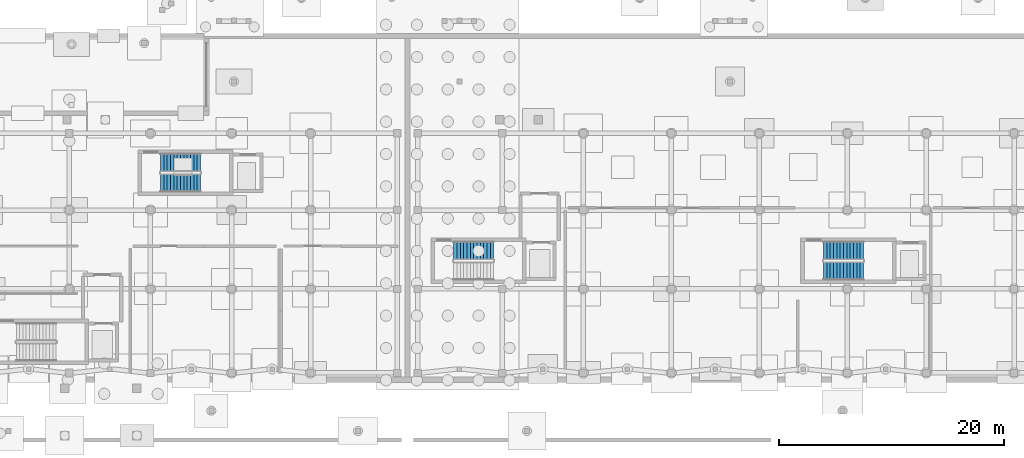
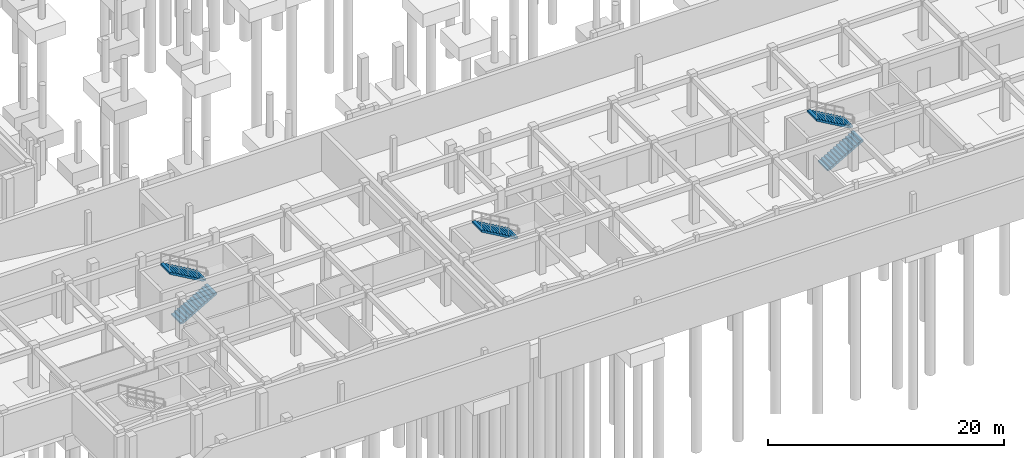
# One storey, part 19 of 22: 5 stair flights, 3 elements without a shape of their own.
"""IFC4 building model written with IfcOpenShell, lengths in metres."""

import ifcopenshell
import ifcopenshell.guid

model = None  # the IFC model being written
_history = None  # IfcOwnerHistory: only IFC2X3 demands one
_inside = {}  # id of a spatial element -> (the spatial element, [elements in it])
_under = {}  # id of a project, library or spatial element -> (it, [spatial elements below it])
_declared = {}  # id of a project -> (the project, [libraries it declares])
_typed = {}  # id of a type object -> (the type object, [elements of that type])
_made_of = {}  # id of a material, layer set ... -> (it, [elements and type objects made of it])


def new_model(schema):
    """Start an empty IFC model of exactly this schema.

    Asked for "IFC4X3", IfcOpenShell would pick the latest addendum, in which some entities
    have other attributes; the version numbers below select the first issue.
    IFC2X3 requires an IfcOwnerHistory on every rooted entity: one is made here for all.
    """
    global model, _history
    if schema == "IFC4X3":
        model = ifcopenshell.file(schema_version=(4, 3, 0, 0))
    else:
        model = ifcopenshell.file(schema=schema)
    _inside.clear()
    _under.clear()
    _declared.clear()
    _typed.clear()
    _made_of.clear()
    _history = None
    if model.schema == "IFC2X3":
        org = make("IfcOrganization", Name="unknown")
        user = make(
            "IfcPersonAndOrganization",
            ThePerson=make("IfcPerson", FamilyName="unknown"),
            TheOrganization=org,
        )
        app = make(
            "IfcApplication",
            ApplicationDeveloper=org,
            Version="unknown",
            ApplicationFullName="unknown",
            ApplicationIdentifier="unknown",
        )
        _history = make(
            "IfcOwnerHistory",
            OwningUser=user,
            OwningApplication=app,
            ChangeAction="ADDED",
            CreationDate=0,
        )
    return model


def make(cls, **values):
    """One entity of the class cls with the attributes given. An attribute that is None is left unset."""
    return model.create_entity(
        cls, **{name: value for name, value in values.items() if value is not None}
    )


def rooted(cls, **values):
    """An entity with a GlobalId (a new one), such as an element, a storey or a relation."""
    return make(cls, GlobalId=ifcopenshell.guid.new(), OwnerHistory=_history, **values)


def si_unit(unit_type, name, prefix=None):
    """IfcSIUnit, for example si_unit("LENGTHUNIT", "METRE", prefix="MILLI")."""
    return make("IfcSIUnit", UnitType=unit_type, Prefix=prefix, Name=name)


def assignment(units):
    """IfcUnitAssignment: the units of a project."""
    return None if units is None else make("IfcUnitAssignment", Units=units)


def point(xyz):
    """IfcCartesianPoint."""
    return None if xyz is None else make("IfcCartesianPoint", Coordinates=xyz)


def direction(xyz):
    """IfcDirection."""
    return None if xyz is None else make("IfcDirection", DirectionRatios=xyz)


def frame(location, z_axis=None, x_axis=None):
    """IfcAxis2Placement3D, a coordinate frame: its origin and axes. An axis left out is left unset."""
    return make(
        "IfcAxis2Placement3D",
        Location=point(location),
        Axis=direction(z_axis),
        RefDirection=direction(x_axis),
    )


def origin():
    """The frame at (0, 0, 0) with its axes left unset."""
    return frame((0.0, 0.0, 0.0))


def place(relative_to, where):
    """IfcLocalPlacement: puts the frame where relative to a parent placement (None: the world)."""
    return make(
        "IfcLocalPlacement", PlacementRelTo=relative_to, RelativePlacement=where
    )


def context(
    kind, dimensions, precision=None, world=None, true_north=None, identifier=None
):
    """IfcGeometricRepresentationContext, for example the 3D "Model" context."""
    return make(
        "IfcGeometricRepresentationContext",
        ContextIdentifier=identifier,
        ContextType=kind,
        CoordinateSpaceDimension=dimensions,
        Precision=precision,
        WorldCoordinateSystem=world,
        TrueNorth=true_north,
    )


def subcontext(parent, identifier, kind, view, scale=None):
    """IfcGeometricRepresentationSubContext, for example "Body" below "Model"."""
    return make(
        "IfcGeometricRepresentationSubContext",
        ContextIdentifier=identifier,
        ContextType=kind,
        ParentContext=parent,
        TargetScale=scale,
        TargetView=view,
    )


def project(units=None, contexts=None):
    """IfcProject with its units and contexts."""
    return rooted(
        "IfcProject",
        Name="project",
        RepresentationContexts=contexts,
        UnitsInContext=assignment(units),
    )


def spatial(cls, under=None, at=None, **own):
    """A site, building, storey or space (cls), placed at a placement, below another one or the project."""
    s = rooted(cls, ObjectPlacement=at, **own)
    if under is not None:
        _under.setdefault(under.id(), (under, []))[1].append(s)
    return s


def polyline(points):
    """IfcPolyline through the points."""
    return make("IfcPolyline", Points=[point(p) for p in points])


def outline(outer, holes=None, kind="AREA"):
    """IfcArbitraryClosedProfileDef: a profile drawn as a closed curve; with holes, ...WithVoids."""
    if holes is None:
        return make("IfcArbitraryClosedProfileDef", ProfileType=kind, OuterCurve=outer)
    return make(
        "IfcArbitraryProfileDefWithVoids",
        ProfileType=kind,
        OuterCurve=outer,
        InnerCurves=holes,
    )


def extrude(swept, where, along, depth):
    """IfcExtrudedAreaSolid: the profile swept, set in the frame where, extruded along a direction by depth."""
    return make(
        "IfcExtrudedAreaSolid",
        SweptArea=swept,
        Position=where,
        ExtrudedDirection=direction(along),
        Depth=depth,
    )


def shape(context_of_items, identifier, shape_type, items):
    """IfcShapeRepresentation: the items that make up one representation, for example the "Body"."""
    return make(
        "IfcShapeRepresentation",
        ContextOfItems=context_of_items,
        RepresentationIdentifier=identifier,
        RepresentationType=shape_type,
        Items=items,
    )


def material(Name=None, Category=None):
    """IfcMaterial."""
    return make("IfcMaterial", Name=Name, Category=Category)


def made_of(thing, what):
    """Note that an element or type object is made of a material, layer set ...; save() writes the relation."""
    if what is not None:
        _made_of.setdefault(what.id(), (what, []))[1].append(thing)
    return thing


def type_object(cls, material=None, **own):
    """A type object (cls), such as IfcWallType, which elements share."""
    return made_of(rooted(cls, **own), material)


def element(
    cls,
    number,
    at=None,
    inside=None,
    cuts=None,
    type_object=None,
    material=None,
    context=None,
    identifier="Body",
    shape_type=None,
    held_by="IfcProductDefinitionShape",
    body=None,
    shapes=None,
    **own,
):
    """One element of the class cls, such as IfcWall. Its Tag is "e" and its number.

    at: its placement. inside: the storey or other place that contains it. cuts: it is an
    opening in that element (IfcRelVoidsElement). A single representation is given by context,
    identifier, shape_type and body (its items); several are given by shapes. held_by: the class
    of the entity that holds the representations. save() writes the other relations.
    """
    e = rooted(cls, Tag="e%d" % number, ObjectPlacement=at, **own)
    if body is not None:
        shapes = [shape(context, identifier, shape_type, body)]
    if shapes is not None:
        e.Representation = make(held_by, Representations=shapes)
    if inside is not None:
        _inside.setdefault(inside.id(), (inside, []))[1].append(e)
    if cuts is not None:
        rooted(
            "IfcRelVoidsElement", RelatingBuildingElement=cuts, RelatedOpeningElement=e
        )
    if type_object is not None:
        _typed.setdefault(type_object.id(), (type_object, []))[1].append(e)
    return made_of(e, material)


def aggregate(whole, parts):
    """IfcRelAggregates: a whole, such as a stair, and the parts it consists of."""
    return rooted("IfcRelAggregates", RelatingObject=whole, RelatedObjects=parts)


def save(model, path):
    """Write the relations noted so far, then the file.

    IfcRelAggregates (storeys below a building ...), IfcRelContainedInSpatialStructure (elements
    in a storey), IfcRelDefinesByType, IfcRelAssociatesMaterial and IfcRelDeclares: one each for
    every whole, place, type object, material and project.
    """
    for whole, parts in _under.values():
        aggregate(whole, parts)
    for where, things in _inside.values():
        rooted(
            "IfcRelContainedInSpatialStructure",
            RelatedElements=things,
            RelatingStructure=where,
        )
    for kind, things in _typed.values():
        rooted("IfcRelDefinesByType", RelatedObjects=things, RelatingType=kind)
    for what, things in _made_of.values():
        rooted("IfcRelAssociatesMaterial", RelatedObjects=things, RelatingMaterial=what)
    for by, libraries in _declared.values():
        rooted("IfcRelDeclares", RelatingContext=by, RelatedDefinitions=libraries)
    model.write(path)


model = new_model("IFC4")

# Units and contexts
model_context = context("Model", 3, precision=1e-05, world=origin(), true_north=direction((0.0, 1.0)))
body_context = subcontext(model_context, "Body", "Model", "MODEL_VIEW")
ifc_project = project(units=[si_unit("LENGTHUNIT", "METRE"), si_unit("AREAUNIT", "SQUARE_METRE"), si_unit("VOLUMEUNIT", "CUBIC_METRE"), si_unit("PLANEANGLEUNIT", "RADIAN"), si_unit("MASSUNIT", "GRAM", prefix="KILO")], contexts=[model_context])

# Site, building, storey
site_placement = place(None, origin())
site = spatial("IfcSite", under=ifc_project, at=site_placement, CompositionType="ELEMENT")
building_placement = place(site_placement, origin())
building = spatial("IfcBuilding", under=site, at=building_placement, Name="Valcora Specialist Clinic", CompositionType="ELEMENT")
storey_placement = place(building_placement, frame((0.0, 0.0, -4.419921875)))
storey = spatial("IfcBuildingStorey", under=building, at=storey_placement, Name="B1", CompositionType="ELEMENT", Elevation=-4.419921875)

# Stair, stair flights
ifc_material = material(Name="Concrete C40/50", Category="concrete")
stair_type = type_object("IfcStairType", Name="TY-ST-DG442", PredefinedType="HALF_TURN_STAIR", material=ifc_material)
stair_1_placement = place(storey_placement, origin())
stair_1 = element("IfcStair", 1, at=stair_1_placement, inside=storey, type_object=stair_type, Name="B1 Core C-V5B stair ST-V5B", PredefinedType="HALF_TURN_STAIR")
stair_flight_type = type_object("IfcStairFlightType", Name="TY-SF-RC160", PredefinedType="STRAIGHT", material=ifc_material)
stair_flight_1_placement = place(storey_placement, frame((31.5, 17.60009765625, 0.0), z_axis=(0.0, 0.0, 1.0), x_axis=(1.0, 0.0, 0.0)))
stair_flight_1 = element("IfcStairFlight", 2, at=stair_flight_1_placement, type_object=stair_flight_type, Name="ST-V5B flight 1", NumberOfRisers=13, NumberOfTreads=12, PredefinedType="STRAIGHT", RiserHeight=0.17, TreadLength=0.295, context=body_context, shape_type="SweptSolid", body=[
    extrude(outline(polyline([(0.0, 0.0), (0.0, 0.169921875), (0.294921875, 0.169921875), (0.294921875, 0.340087890625), (0.590087890625, 0.340087890625), (0.590087890625, 0.510009765625), (0.885009765625, 0.510009765625), (0.885009765625, 0.679931640625), (1.179931640625, 0.679931640625), (1.179931640625, 0.85009765625), (1.47509765625, 0.85009765625), (1.47509765625, 1.02001953125), (1.77001953125, 1.02001953125), (1.77001953125, 1.18994140625), (2.06494140625, 1.18994140625), (2.06494140625, 1.360107421875), (2.360107421875, 1.360107421875), (2.360107421875, 1.530029296875), (2.655029296875, 1.530029296875), (2.655029296875, 1.699951171875), (2.949951171875, 1.699951171875), (2.949951171875, 1.8701171875), (3.2451171875, 1.8701171875), (3.2451171875, 2.0400390625), (3.5400390625, 2.0400390625), (3.5400390625, 2.2099609375), (3.5400390625, 1.85546875), (0.3203125, 0.0), (0.0, 0.0)])), frame((0.0, 0.800048828125, 0.0), z_axis=(0.0, -1.0, 0.0), x_axis=(1.0, 0.0, 0.0)), (0.0, 0.0, 1.0), 1.60009765625),
])
stair_flight_2_placement = place(storey_placement, frame((35.0400390625, 19.39990234375, 2.2099609375), z_axis=(0.0, 0.0, 1.0), x_axis=(-1.0, 0.0, 0.0)))
stair_flight_2 = element("IfcStairFlight", 3, at=stair_flight_2_placement, type_object=stair_flight_type, Name="ST-V5B flight 2", NumberOfRisers=13, NumberOfTreads=12, PredefinedType="STRAIGHT", RiserHeight=0.17, TreadLength=0.295, context=body_context, shape_type="SweptSolid", body=[
    extrude(outline(polyline([(0.0, 0.0), (0.0, 0.169921875), (0.294921875, 0.169921875), (0.294921875, 0.340087890625), (0.590087890625, 0.340087890625), (0.590087890625, 0.510009765625), (0.885009765625, 0.510009765625), (0.885009765625, 0.679931640625), (1.179931640625, 0.679931640625), (1.179931640625, 0.85009765625), (1.47509765625, 0.85009765625), (1.47509765625, 1.02001953125), (1.77001953125, 1.02001953125), (1.77001953125, 1.18994140625), (2.06494140625, 1.18994140625), (2.06494140625, 1.360107421875), (2.360107421875, 1.360107421875), (2.360107421875, 1.530029296875), (2.655029296875, 1.530029296875), (2.655029296875, 1.699951171875), (2.949951171875, 1.699951171875), (2.949951171875, 1.8701171875), (3.2451171875, 1.8701171875), (3.2451171875, 2.0400390625), (3.5400390625, 2.0400390625), (3.5400390625, 2.2099609375), (3.5400390625, 1.85546875), (0.3203125, 0.0), (0.0, 0.0)])), frame((0.0, 0.800048828125, 0.0), z_axis=(0.0, -1.0, 0.0), x_axis=(1.0, 0.0, 0.0)), (0.0, 0.0, 1.0), 1.60009765625),
])
aggregate(stair_1, [stair_flight_1, stair_flight_2])

# Stair, stair flight
stair_2_placement = place(storey_placement, origin())
stair_2 = element("IfcStair", 4, at=stair_2_placement, inside=storey, type_object=stair_type, Name="B1 Core C-V6A stair ST-V6A", PredefinedType="HALF_TURN_STAIR")
stair_flight_3_placement = place(storey_placement, frame((61.0400390625, 11.60009765625, 2.2099609375), z_axis=(0.0, 0.0, 1.0), x_axis=(-1.0, 0.0, 0.0)))
stair_flight_3 = element("IfcStairFlight", 5, at=stair_flight_3_placement, type_object=stair_flight_type, Name="ST-V6A flight 2", NumberOfRisers=13, NumberOfTreads=12, PredefinedType="STRAIGHT", RiserHeight=0.17, TreadLength=0.295, context=body_context, shape_type="SweptSolid", body=[
    extrude(outline(polyline([(0.0, 0.0), (0.0, 0.169921875), (0.294921875, 0.169921875), (0.294921875, 0.340087890625), (0.590087890625, 0.340087890625), (0.590087890625, 0.510009765625), (0.885009765625, 0.510009765625), (0.885009765625, 0.679931640625), (1.179931640625, 0.679931640625), (1.179931640625, 0.85009765625), (1.47509765625, 0.85009765625), (1.47509765625, 1.02001953125), (1.77001953125, 1.02001953125), (1.77001953125, 1.18994140625), (2.06494140625, 1.18994140625), (2.06494140625, 1.360107421875), (2.360107421875, 1.360107421875), (2.360107421875, 1.530029296875), (2.655029296875, 1.530029296875), (2.655029296875, 1.699951171875), (2.949951171875, 1.699951171875), (2.949951171875, 1.8701171875), (3.2451171875, 1.8701171875), (3.2451171875, 2.0400390625), (3.5400390625, 2.0400390625), (3.5400390625, 2.2099609375), (3.5400390625, 1.85546875), (0.3203125, 0.0), (0.0, 0.0)])), frame((0.0, 0.800048828125, 0.0), z_axis=(0.0, -1.0, 0.0), x_axis=(1.0, 0.0, 0.0)), (0.0, 0.0, 1.0), 1.60009765625),
])
aggregate(stair_2, [stair_flight_3])

# Stair, stair flights
stair_3_placement = place(storey_placement, origin())
stair_3 = element("IfcStair", 6, at=stair_3_placement, inside=storey, type_object=stair_type, Name="B1 Core C-V6B stair ST-V6B", PredefinedType="HALF_TURN_STAIR")
stair_flight_4_placement = place(storey_placement, frame((90.300048828125, 9.800048828125, 0.0), z_axis=(0.0, 0.0, 1.0), x_axis=(1.0, 0.0, 0.0)))
stair_flight_4 = element("IfcStairFlight", 7, at=stair_flight_4_placement, type_object=stair_flight_type, Name="ST-V6B flight 1", NumberOfRisers=13, NumberOfTreads=12, PredefinedType="STRAIGHT", RiserHeight=0.17, TreadLength=0.295, context=body_context, shape_type="SweptSolid", body=[
    extrude(outline(polyline([(0.0, 0.0), (0.0, 0.169921875), (0.294921875, 0.169921875), (0.294921875, 0.340087890625), (0.590087890625, 0.340087890625), (0.590087890625, 0.510009765625), (0.885009765625, 0.510009765625), (0.885009765625, 0.679931640625), (1.179931640625, 0.679931640625), (1.179931640625, 0.85009765625), (1.47509765625, 0.85009765625), (1.47509765625, 1.02001953125), (1.77001953125, 1.02001953125), (1.77001953125, 1.18994140625), (2.06494140625, 1.18994140625), (2.06494140625, 1.360107421875), (2.360107421875, 1.360107421875), (2.360107421875, 1.530029296875), (2.655029296875, 1.530029296875), (2.655029296875, 1.699951171875), (2.949951171875, 1.699951171875), (2.949951171875, 1.8701171875), (3.2451171875, 1.8701171875), (3.2451171875, 2.0400390625), (3.5400390625, 2.0400390625), (3.5400390625, 2.2099609375), (3.5400390625, 1.85546875), (0.3203125, 0.0), (0.0, 0.0)])), frame((0.0, 0.800048828125, 0.0), z_axis=(0.0, -1.0, 0.0), x_axis=(1.0, 0.0, 0.0)), (0.0, 0.0, 1.0), 1.60009765625),
])
stair_flight_5_placement = place(storey_placement, frame((93.840087890625, 11.60009765625, 2.2099609375), z_axis=(0.0, 0.0, 1.0), x_axis=(-1.0, 0.0, 0.0)))
stair_flight_5 = element("IfcStairFlight", 8, at=stair_flight_5_placement, type_object=stair_flight_type, Name="ST-V6B flight 2", NumberOfRisers=13, NumberOfTreads=12, PredefinedType="STRAIGHT", RiserHeight=0.17, TreadLength=0.295, context=body_context, shape_type="SweptSolid", body=[
    extrude(outline(polyline([(0.0, 0.0), (0.0, 0.169921875), (0.294921875, 0.169921875), (0.294921875, 0.340087890625), (0.590087890625, 0.340087890625), (0.590087890625, 0.510009765625), (0.885009765625, 0.510009765625), (0.885009765625, 0.679931640625), (1.179931640625, 0.679931640625), (1.179931640625, 0.85009765625), (1.47509765625, 0.85009765625), (1.47509765625, 1.02001953125), (1.77001953125, 1.02001953125), (1.77001953125, 1.18994140625), (2.06494140625, 1.18994140625), (2.06494140625, 1.360107421875), (2.360107421875, 1.360107421875), (2.360107421875, 1.530029296875), (2.655029296875, 1.530029296875), (2.655029296875, 1.699951171875), (2.949951171875, 1.699951171875), (2.949951171875, 1.8701171875), (3.2451171875, 1.8701171875), (3.2451171875, 2.0400390625), (3.5400390625, 2.0400390625), (3.5400390625, 2.2099609375), (3.5400390625, 1.85546875), (0.3203125, 0.0), (0.0, 0.0)])), frame((0.0, 0.800048828125, 0.0), z_axis=(0.0, -1.0, 0.0), x_axis=(1.0, 0.0, 0.0)), (0.0, 0.0, 1.0), 1.60009765625),
])
aggregate(stair_3, [stair_flight_4, stair_flight_5])

save(model, "model.ifc")
